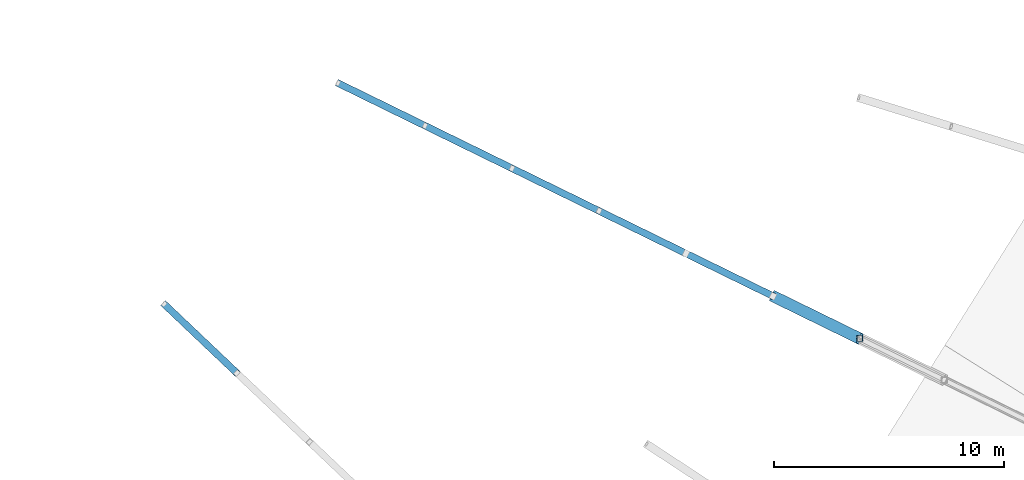
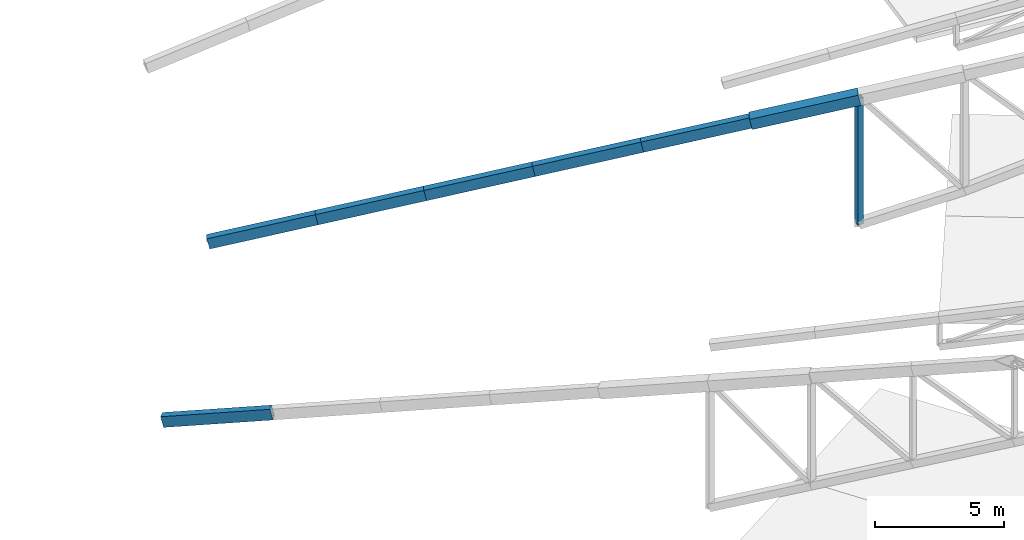
# One storey, part 47 of 188: 8 members.
"""IFC4 building model written with IfcOpenShell, lengths in metres."""

import ifcopenshell
import ifcopenshell.guid

model = None  # the IFC model being written
_history = None  # IfcOwnerHistory: only IFC2X3 demands one
_inside = {}  # id of a spatial element -> (the spatial element, [elements in it])
_under = {}  # id of a project, library or spatial element -> (it, [spatial elements below it])
_declared = {}  # id of a project -> (the project, [libraries it declares])
_typed = {}  # id of a type object -> (the type object, [elements of that type])
_made_of = {}  # id of a material, layer set ... -> (it, [elements and type objects made of it])


def new_model(schema):
    """Start an empty IFC model of exactly this schema.

    Asked for "IFC4X3", IfcOpenShell would pick the latest addendum, in which some entities
    have other attributes; the version numbers below select the first issue.
    IFC2X3 requires an IfcOwnerHistory on every rooted entity: one is made here for all.
    """
    global model, _history
    if schema == "IFC4X3":
        model = ifcopenshell.file(schema_version=(4, 3, 0, 0))
    else:
        model = ifcopenshell.file(schema=schema)
    _inside.clear()
    _under.clear()
    _declared.clear()
    _typed.clear()
    _made_of.clear()
    _history = None
    if model.schema == "IFC2X3":
        org = make("IfcOrganization", Name="unknown")
        user = make(
            "IfcPersonAndOrganization",
            ThePerson=make("IfcPerson", FamilyName="unknown"),
            TheOrganization=org,
        )
        app = make(
            "IfcApplication",
            ApplicationDeveloper=org,
            Version="unknown",
            ApplicationFullName="unknown",
            ApplicationIdentifier="unknown",
        )
        _history = make(
            "IfcOwnerHistory",
            OwningUser=user,
            OwningApplication=app,
            ChangeAction="ADDED",
            CreationDate=0,
        )
    return model


def make(cls, **values):
    """One entity of the class cls with the attributes given. An attribute that is None is left unset."""
    return model.create_entity(
        cls, **{name: value for name, value in values.items() if value is not None}
    )


def rooted(cls, **values):
    """An entity with a GlobalId (a new one), such as an element, a storey or a relation."""
    return make(cls, GlobalId=ifcopenshell.guid.new(), OwnerHistory=_history, **values)


def si_unit(unit_type, name, prefix=None):
    """IfcSIUnit, for example si_unit("LENGTHUNIT", "METRE", prefix="MILLI")."""
    return make("IfcSIUnit", UnitType=unit_type, Prefix=prefix, Name=name)


def assignment(units):
    """IfcUnitAssignment: the units of a project."""
    return None if units is None else make("IfcUnitAssignment", Units=units)


def point(xyz):
    """IfcCartesianPoint."""
    return None if xyz is None else make("IfcCartesianPoint", Coordinates=xyz)


def direction(xyz):
    """IfcDirection."""
    return None if xyz is None else make("IfcDirection", DirectionRatios=xyz)


def frame(location, z_axis=None, x_axis=None):
    """IfcAxis2Placement3D, a coordinate frame: its origin and axes. An axis left out is left unset."""
    return make(
        "IfcAxis2Placement3D",
        Location=point(location),
        Axis=direction(z_axis),
        RefDirection=direction(x_axis),
    )


def frame_2d(location, x_axis=None):
    """IfcAxis2Placement2D, a coordinate frame in the plane: its origin and x axis."""
    return make(
        "IfcAxis2Placement2D", Location=point(location), RefDirection=direction(x_axis)
    )


def origin():
    """The frame at (0, 0, 0) with its axes left unset."""
    return frame((0.0, 0.0, 0.0))


def origin_2d():
    """The frame at (0, 0) in the plane with its x axis left unset."""
    return frame_2d((0.0, 0.0))


def place(relative_to, where):
    """IfcLocalPlacement: puts the frame where relative to a parent placement (None: the world)."""
    return make(
        "IfcLocalPlacement", PlacementRelTo=relative_to, RelativePlacement=where
    )


def context(
    kind, dimensions, precision=None, world=None, true_north=None, identifier=None
):
    """IfcGeometricRepresentationContext, for example the 3D "Model" context."""
    return make(
        "IfcGeometricRepresentationContext",
        ContextIdentifier=identifier,
        ContextType=kind,
        CoordinateSpaceDimension=dimensions,
        Precision=precision,
        WorldCoordinateSystem=world,
        TrueNorth=true_north,
    )


def subcontext(parent, identifier, kind, view, scale=None):
    """IfcGeometricRepresentationSubContext, for example "Body" below "Model"."""
    return make(
        "IfcGeometricRepresentationSubContext",
        ContextIdentifier=identifier,
        ContextType=kind,
        ParentContext=parent,
        TargetScale=scale,
        TargetView=view,
    )


def project(units=None, contexts=None):
    """IfcProject with its units and contexts."""
    return rooted(
        "IfcProject",
        Name="project",
        RepresentationContexts=contexts,
        UnitsInContext=assignment(units),
    )


def spatial(cls, under=None, at=None, **own):
    """A site, building, storey or space (cls), placed at a placement, below another one or the project."""
    s = rooted(cls, ObjectPlacement=at, **own)
    if under is not None:
        _under.setdefault(under.id(), (under, []))[1].append(s)
    return s


def profile(cls, at=None, kind="AREA", **sizes):
    """A parametric profile (cls). Its sizes go by their IFC names, for example OverallWidth=200.0."""
    return make(cls, ProfileType=kind, Position=at, **sizes)


def hollow_rectangle(**sizes):
    """IfcRectangleHollowProfileDef."""
    return profile("IfcRectangleHollowProfileDef", **sizes)


def extrude(swept, where, along, depth):
    """IfcExtrudedAreaSolid: the profile swept, set in the frame where, extruded along a direction by depth."""
    return make(
        "IfcExtrudedAreaSolid",
        SweptArea=swept,
        Position=where,
        ExtrudedDirection=direction(along),
        Depth=depth,
    )


def shape(context_of_items, identifier, shape_type, items):
    """IfcShapeRepresentation: the items that make up one representation, for example the "Body"."""
    return make(
        "IfcShapeRepresentation",
        ContextOfItems=context_of_items,
        RepresentationIdentifier=identifier,
        RepresentationType=shape_type,
        Items=items,
    )


def material(Name=None, Category=None):
    """IfcMaterial."""
    return make("IfcMaterial", Name=Name, Category=Category)


def material_profile(
    of_material, cross_section, Name=None, Category=None, Priority=None
):
    """IfcMaterialProfile: a cross section and its material."""
    return make(
        "IfcMaterialProfile",
        Name=Name,
        Material=of_material,
        Profile=cross_section,
        Priority=Priority,
        Category=Category,
    )


def profile_set(profiles, Name=None, composite=None):
    """IfcMaterialProfileSet."""
    return make(
        "IfcMaterialProfileSet",
        Name=Name,
        MaterialProfiles=profiles,
        CompositeProfile=composite,
    )


def made_of(thing, what):
    """Note that an element or type object is made of a material, layer set ...; save() writes the relation."""
    if what is not None:
        _made_of.setdefault(what.id(), (what, []))[1].append(thing)
    return thing


def type_object(cls, material=None, **own):
    """A type object (cls), such as IfcWallType, which elements share."""
    return made_of(rooted(cls, **own), material)


def element(
    cls,
    number,
    at=None,
    inside=None,
    cuts=None,
    type_object=None,
    material=None,
    context=None,
    identifier="Body",
    shape_type=None,
    held_by="IfcProductDefinitionShape",
    body=None,
    shapes=None,
    **own,
):
    """One element of the class cls, such as IfcWall. Its Tag is "e" and its number.

    at: its placement. inside: the storey or other place that contains it. cuts: it is an
    opening in that element (IfcRelVoidsElement). A single representation is given by context,
    identifier, shape_type and body (its items); several are given by shapes. held_by: the class
    of the entity that holds the representations. save() writes the other relations.
    """
    e = rooted(cls, Tag="e%d" % number, ObjectPlacement=at, **own)
    if body is not None:
        shapes = [shape(context, identifier, shape_type, body)]
    if shapes is not None:
        e.Representation = make(held_by, Representations=shapes)
    if inside is not None:
        _inside.setdefault(inside.id(), (inside, []))[1].append(e)
    if cuts is not None:
        rooted(
            "IfcRelVoidsElement", RelatingBuildingElement=cuts, RelatedOpeningElement=e
        )
    if type_object is not None:
        _typed.setdefault(type_object.id(), (type_object, []))[1].append(e)
    return made_of(e, material)


def aggregate(whole, parts):
    """IfcRelAggregates: a whole, such as a stair, and the parts it consists of."""
    return rooted("IfcRelAggregates", RelatingObject=whole, RelatedObjects=parts)


def save(model, path):
    """Write the relations noted so far, then the file.

    IfcRelAggregates (storeys below a building ...), IfcRelContainedInSpatialStructure (elements
    in a storey), IfcRelDefinesByType, IfcRelAssociatesMaterial and IfcRelDeclares: one each for
    every whole, place, type object, material and project.
    """
    for whole, parts in _under.values():
        aggregate(whole, parts)
    for where, things in _inside.values():
        rooted(
            "IfcRelContainedInSpatialStructure",
            RelatedElements=things,
            RelatingStructure=where,
        )
    for kind, things in _typed.values():
        rooted("IfcRelDefinesByType", RelatedObjects=things, RelatingType=kind)
    for what, things in _made_of.values():
        rooted("IfcRelAssociatesMaterial", RelatedObjects=things, RelatingMaterial=what)
    for by, libraries in _declared.values():
        rooted("IfcRelDeclares", RelatingContext=by, RelatedDefinitions=libraries)
    model.write(path)


model = new_model("IFC4")

# Units and contexts
model_context = context("Model", 3, precision=1e-05, world=origin(), true_north=direction((0.0, 1.0)))
body_context = subcontext(model_context, "Body", "Model", "MODEL_VIEW")
ifc_project = project(units=[si_unit("LENGTHUNIT", "METRE"), si_unit("AREAUNIT", "SQUARE_METRE"), si_unit("VOLUMEUNIT", "CUBIC_METRE"), si_unit("PLANEANGLEUNIT", "RADIAN"), si_unit("MASSUNIT", "GRAM", prefix="KILO")], contexts=[model_context])

# Site, building, storey
site_placement = place(None, origin())
site = spatial("IfcSite", under=ifc_project, at=site_placement, CompositionType="ELEMENT")
building_placement = place(site_placement, origin())
building = spatial("IfcBuilding", under=site, at=building_placement, Name="Meseta Stadium", CompositionType="ELEMENT")
storey_placement = place(building_placement, frame((0.0, 0.0, 30.0)))
storey = spatial("IfcBuildingStorey", under=building, at=storey_placement, Name="ROOF", CompositionType="ELEMENT", Elevation=30.0)

# Members
ifc_material_1 = material(Name="Steel S355", Category="steel")
ifc_material_profile_1 = material_profile(ifc_material_1, hollow_rectangle(XDim=0.300048828125, YDim=0.5, WallThickness=0.01611328125, at=origin_2d()), Name="RHS 500x300x16")
ifc_profile_set_1 = profile_set([ifc_material_profile_1], Name="Steel S355")
member_type_1 = type_object("IfcMemberType", Name="RHS 500x300x16 top chord", PredefinedType="CHORD", material=ifc_profile_set_1)
member_1_placement = place(storey_placement, frame((47.903076171875, -70.75927734375, 1.152099609375), z_axis=(0.704899888459, -0.66852953327, 0.237032509153), x_axis=(0.688140350493, 0.725577603033, 0.0)))
element("IfcMember", 1, at=member_1_placement, inside=storey, type_object=member_type_1, Name="ROOF TRUSS RT-52 top chord", PredefinedType="CHORD", context=body_context, shape_type="SweptSolid", body=[
    extrude(hollow_rectangle(XDim=0.300048828125, YDim=0.5, WallThickness=0.01611328125, at=origin_2d()), origin(), (0.0, 0.0, 1.0), 4.49072265625),
])
for number, where, z_axis, x_axis, name in (
    (2, (55.471435546875, -61.14453125, 1.10791015625), (0.87645329063, -0.429187549885, 0.218237660288), (0.43978836159, 0.898101440267, 0.0), "ROOF TRUSS RT-54 top chord"),
    (3, (59.259033203125, -62.999267578125, 2.051025390625), (0.876487635382, -0.429120211303, 0.218232145374), (0.439718804076, 0.89813549832, 0.0), "ROOF TRUSS RT-54 top chord"),
    (4, (63.046875, -64.853759765625, 2.994140625), (0.876487635382, -0.429120211303, 0.218232145374), (0.439718804076, 0.89813549832, 0.0), "ROOF TRUSS RT-54 top chord"),
):
    element("IfcMember", number, at=place(storey_placement, frame(where, z_axis=z_axis, x_axis=x_axis)), inside=storey, type_object=member_type_1, Name=name, PredefinedType="CHORD", context=body_context, shape_type="SweptSolid", body=[
        extrude(hollow_rectangle(XDim=0.300048828125, YDim=0.5, WallThickness=0.01611328125, at=origin_2d()), origin(), (0.0, 0.0, 1.0), 4.321533203125),
    ])
member_2_placement = place(storey_placement, frame((66.834716796875, -66.708251953125, 3.937255859375), z_axis=(0.876474541078, -0.429141460231, 0.218242951668), x_axis=(0.439741666741, 0.89812430461, 0.0)))
element("IfcMember", 5, at=member_2_placement, inside=storey, type_object=member_type_1, Name="ROOF TRUSS RT-54 top chord", PredefinedType="CHORD", context=body_context, shape_type="SweptSolid", body=[
    extrude(hollow_rectangle(XDim=0.300048828125, YDim=0.5, WallThickness=0.01611328125, at=origin_2d()), origin(), (0.0, 0.0, 1.0), 4.3212890625),
])
member_3_placement = place(storey_placement, frame((70.622314453125, -68.562744140625, 4.88037109375), z_axis=(0.876466386721, -0.429166299705, 0.218226854779), x_axis=(0.439765497661, 0.898112636069, 0.0)))
element("IfcMember", 6, at=member_3_placement, inside=storey, type_object=member_type_1, Name="ROOF TRUSS RT-54 top chord", PredefinedType="CHORD", context=body_context, shape_type="SweptSolid", body=[
    extrude(hollow_rectangle(XDim=0.300048828125, YDim=0.5, WallThickness=0.01611328125, at=origin_2d()), origin(), (0.0, 0.0, 1.0), 4.32177734375),
])
ifc_material_2 = material(Name="Steel S355", Category="steel")
ifc_material_profile_2 = material_profile(ifc_material_2, hollow_rectangle(XDim=0.25, YDim=0.25, WallThickness=0.010009765625, at=origin_2d()), Name="SHS 250x250x10")
ifc_profile_set_2 = profile_set([ifc_material_profile_2], Name="Steel S355")
member_type_2 = type_object("IfcMemberType", Name="SHS 250x250x10 post", PredefinedType="POST", material=ifc_profile_set_2)
member_4_placement = place(storey_placement, frame((78.197998046875, -72.27197265625, 0.785400390625), z_axis=(0.0, 0.0, 1.0), x_axis=(1.0, 0.0, 0.0)))
element("IfcMember", 7, at=member_4_placement, inside=storey, type_object=member_type_2, Name="ROOF TRUSS RT-54 post", PredefinedType="POST", context=body_context, shape_type="SweptSolid", body=[
    extrude(hollow_rectangle(XDim=0.25, YDim=0.25, WallThickness=0.010009765625, at=origin_2d()), origin(), (0.0, 0.0, 1.0), 5.981201171875),
])
ifc_material_3 = material(Name="Steel S355", Category="steel")
ifc_material_profile_3 = material_profile(ifc_material_3, hollow_rectangle(XDim=0.5, YDim=0.5, WallThickness=0.01611328125, at=origin_2d()), Name="SHS 500x500x16")
ifc_profile_set_3 = profile_set([ifc_material_profile_3], Name="Steel S355")
member_type_3 = type_object("IfcMemberType", Name="SHS 500x500x16 top chord", PredefinedType="CHORD", material=ifc_profile_set_3)
member_5_placement = place(storey_placement, frame((74.41015625, -70.41748046875, 5.823486328125), z_axis=(0.876487635382, -0.429120211303, 0.218232145374), x_axis=(0.439718804076, 0.89813549832, 0.0)))
element("IfcMember", 8, at=member_5_placement, inside=storey, type_object=member_type_3, Name="ROOF TRUSS RT-54 top chord", PredefinedType="CHORD", context=body_context, shape_type="SweptSolid", body=[
    extrude(hollow_rectangle(XDim=0.5, YDim=0.5, WallThickness=0.01611328125, at=origin_2d()), origin(), (0.0, 0.0, 1.0), 4.321533203125),
])

save(model, "model.ifc")
